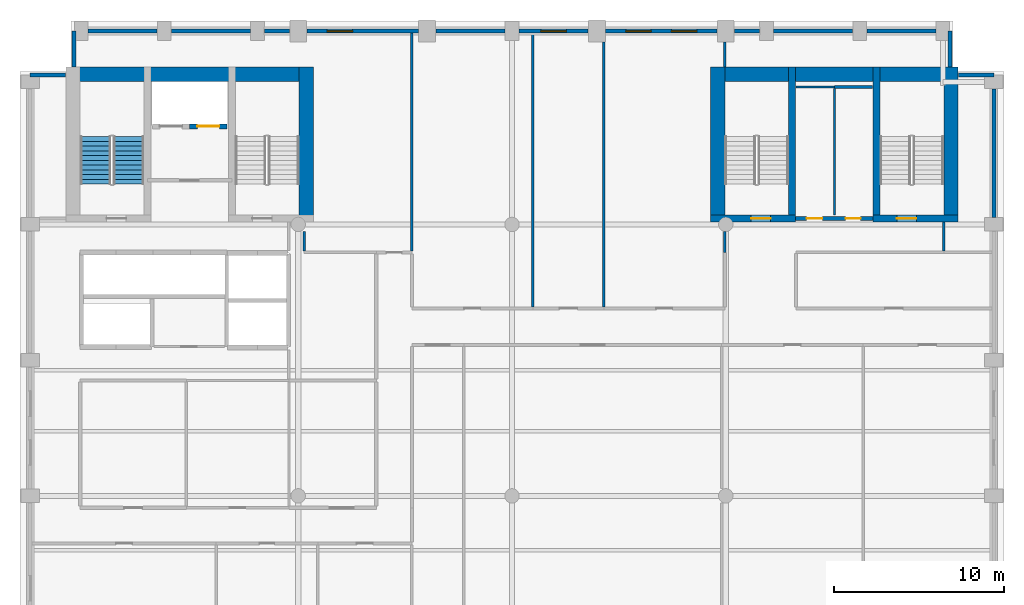
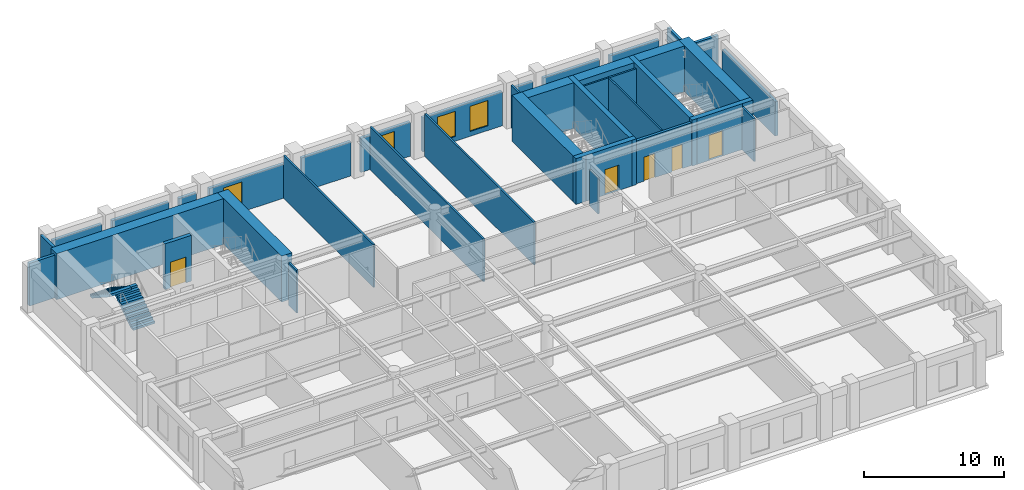
# One storey, part 5 of 8: 36 walls, 5 doors, 4 windows, 2 stair flights, 9 openings, 1 element without a shape of its own.
"""IFC4 building model written with IfcOpenShell, lengths in metres."""

from ifc_helpers import new_model, si_unit, direction, frame, frame_2d, origin, place, context, subcontext, project, spatial, polyline, rectangle, outline, extrude, material, layer, layer_set, type_object, element, fill, aggregate, save


model = new_model("IFC4")

# Units and contexts
model_context = context("Model", 3, precision=1e-05, world=origin(), true_north=direction((0.0, 1.0)))
body_context = subcontext(model_context, "Body", "Model", "MODEL_VIEW")
ifc_project = project(units=[si_unit("LENGTHUNIT", "METRE"), si_unit("AREAUNIT", "SQUARE_METRE"), si_unit("VOLUMEUNIT", "CUBIC_METRE"), si_unit("PLANEANGLEUNIT", "RADIAN"), si_unit("MASSUNIT", "GRAM", prefix="KILO")], contexts=[model_context])

# Site, building, storey
site_placement = place(None, origin())
site = spatial("IfcSite", under=ifc_project, at=site_placement, CompositionType="ELEMENT")
building_placement = place(site_placement, origin())
building = spatial("IfcBuilding", under=site, at=building_placement, Name="Sulina Concourse Tower", CompositionType="ELEMENT")
storey_placement = place(building_placement, frame((0.0, 0.0, 170.60009765625)))
storey = spatial("IfcBuildingStorey", under=building, at=storey_placement, Name="L41", CompositionType="ELEMENT", Elevation=170.60009765625)

# Wall, opening, door
ifc_material_1 = material(Name="Concrete C50/60", Category="concrete")
ifc_layer_1 = layer(ifc_material_1, 0.300048828125)
ifc_layer_set_1 = layer_set([ifc_layer_1], Name="Concrete C50/60")
wall_type_1 = type_object("IfcWallType", Name="Core Lift Hoistway Wall 300mm", PredefinedType="SOLIDWALL", material=ifc_layer_set_1)
wall_1_placement = place(storey_placement, frame((12.199951171875, 39.780029296875, 0.0), z_axis=(0.0, 0.0, 1.0), x_axis=(-1.0, 0.0, 0.0)))
wall_1 = element("IfcWall", 1, at=wall_1_placement, inside=storey, type_object=wall_type_1, Name="L41 hoistway enclosure wall FFL-2", PredefinedType="SOLIDWALL", context=body_context, shape_type="SweptSolid", body=[
    extrude(rectangle(XDim=2.199951171875, YDim=0.300048828125, at=frame_2d((1.10009765625, 0.0))), origin(), (0.0, 0.0, 1.0), 4.0),
])
opening_1_placement = place(wall_1_placement, frame((0.449951171875, 0.0, 0.0)))
opening_1 = element("IfcOpeningElement", 2, at=opening_1_placement, cuts=wall_1, Name="Opening LD-02", PredefinedType="OPENING", context=body_context, shape_type="SweptSolid", body=[
    extrude(rectangle(XDim=1.300048828125, YDim=2.25, at=frame_2d((0.64990234375, 1.125))), frame((0.0, 0.159912109375, 0.0), z_axis=(0.0, -1.0, 0.0), x_axis=(1.0, 0.0, 0.0)), (0.0, 0.0, 1.0), 0.320068359375),
])
ifc_material_2 = material(Name="Stainless steel lift landing door", Category="steel")
ifc_layer_2 = layer(ifc_material_2, 0.050048828125)
ifc_layer_set_2 = layer_set([ifc_layer_2], Name="Stainless steel lift landing door")
door_type_1 = type_object("IfcDoorType", Name="Firefighting Lift Sliding Landing Door 1300x2250", OperationType="SLIDING_TO_RIGHT", PredefinedType="DOOR", material=ifc_layer_set_2)
door_1_placement = place(opening_1_placement, origin())
door_1 = element("IfcDoor", 3, at=door_1_placement, inside=storey, type_object=door_type_1, Name="L41 lift landing sliding door FFL-2", OperationType="SLIDING_TO_RIGHT", OverallHeight=2.25, OverallWidth=1.300048828125, PredefinedType="DOOR", context=body_context, shape_type="SweptSolid", body=[
    extrude(rectangle(XDim=1.300048828125, YDim=2.25, at=frame_2d((0.64990234375, 1.125))), frame((0.0, 0.02490234375, 0.0), z_axis=(0.0, -1.0, 0.0), x_axis=(1.0, 0.0, 0.0)), (0.0, 0.0, 1.0), 0.050048828125),
])
fill(opening_1, door_1)

# Walls
ifc_material_3 = material(Name="Precast concrete C50/60", Category="concrete")
ifc_layer_3 = layer(ifc_material_3, 0.239990234375)
ifc_layer_set_3 = layer_set([ifc_layer_3], Name="Precast concrete C50/60")
wall_type_2 = type_object("IfcWallType", Name="Crown Precast Masonry-Frame Facade Wall 240mm", PredefinedType="SOLIDWALL", material=ifc_layer_set_3)
wall_2_placement = place(storey_placement, frame((4.02001953125, 45.39990234375, 0.0), z_axis=(0.0, 0.0, 1.0), x_axis=(1.0, 0.0, 0.0)))
element("IfcWall", 4, at=wall_2_placement, inside=storey, type_object=wall_type_2, Name="L41 exterior precast wall N1", PredefinedType="SOLIDWALL", context=body_context, shape_type="SweptSolid", body=[
    extrude(rectangle(XDim=4.06005859375, YDim=0.239990234375, at=frame_2d((2.030029296875, 0.0))), origin(), (0.0, 0.0, 1.0), 2.974853515625),
])
wall_3_placement = place(storey_placement, frame((8.919921875, 45.39990234375, 0.0), z_axis=(0.0, 0.0, 1.0), x_axis=(1.0, 0.0, 0.0)))
element("IfcWall", 5, at=wall_3_placement, inside=storey, type_object=wall_type_2, Name="L41 exterior precast wall N2", PredefinedType="SOLIDWALL", context=body_context, shape_type="SweptSolid", body=[
    extrude(rectangle(XDim=4.66015625, YDim=0.239990234375, at=frame_2d((2.330078125, 0.0))), origin(), (0.0, 0.0, 1.0), 2.974853515625),
])
wall_4_placement = place(storey_placement, frame((14.419921875, 45.39990234375, 0.0), z_axis=(0.0, 0.0, 1.0), x_axis=(1.0, 0.0, 0.0)))
element("IfcWall", 6, at=wall_4_placement, inside=storey, type_object=wall_type_2, Name="L41 exterior precast wall N3", PredefinedType="SOLIDWALL", context=body_context, shape_type="SweptSolid", body=[
    extrude(rectangle(XDim=1.4599609375, YDim=0.239990234375, at=frame_2d((0.72998046875, 0.0))), origin(), (0.0, 0.0, 1.0), 2.974853515625),
])

# Wall, opening, window
wall_5_placement = place(storey_placement, frame((16.919921875, 45.39990234375, 0.0), z_axis=(0.0, 0.0, 1.0), x_axis=(1.0, 0.0, 0.0)))
wall_5 = element("IfcWall", 7, at=wall_5_placement, inside=storey, type_object=wall_type_2, Name="L41 exterior precast wall N4", PredefinedType="SOLIDWALL", context=body_context, shape_type="SweptSolid", body=[
    extrude(rectangle(XDim=6.56005859375, YDim=0.239990234375, at=frame_2d((3.280029296875, 0.0))), origin(), (0.0, 0.0, 1.0), 2.974853515625),
])
opening_2_placement = place(wall_5_placement, frame((1.186767578125, 0.0, 0.419921875)))
opening_2 = element("IfcOpeningElement", 8, at=opening_2_placement, cuts=wall_5, Name="Opening WN-71", PredefinedType="OPENING", context=body_context, shape_type="SweptSolid", body=[
    extrude(rectangle(XDim=1.5, YDim=2.199951171875, at=frame_2d((0.75, 1.10009765625))), frame((0.0, 0.1298828125, 0.0), z_axis=(0.0, -1.0, 0.0), x_axis=(1.0, 0.0, 0.0)), (0.0, 0.0, 1.0), 0.260009765625),
])
ifc_material_4 = material(Name="Low-E solar double glazing in bronze aluminium", Category="aluminium")
window_type = type_object("IfcWindowType", Name="Punched Masonry-Frame Window 1500x2200", PartitioningType="SINGLE_PANEL", PredefinedType="WINDOW", material=ifc_material_4)
window_1_placement = place(opening_2_placement, origin())
window_1 = element("IfcWindow", 9, at=window_1_placement, inside=storey, type_object=window_type, Name="L41 punched window N4-1", OverallHeight=2.199951171875, OverallWidth=1.5, PartitioningType="SINGLE_PANEL", PredefinedType="WINDOW", context=body_context, shape_type="SweptSolid", body=[
    extrude(rectangle(XDim=1.5, YDim=2.199951171875, at=frame_2d((0.75, 1.10009765625))), frame((0.0, 0.030029296875, 0.0), z_axis=(0.0, -1.0, 0.0), x_axis=(1.0, 0.0, 0.0)), (0.0, 0.0, 1.0), 0.06005859375),
])
fill(opening_2, window_1)

# Wall
wall_6_placement = place(storey_placement, frame((24.52001953125, 45.39990234375, 0.0), z_axis=(0.0, 0.0, 1.0), x_axis=(1.0, 0.0, 0.0)))
element("IfcWall", 10, at=wall_6_placement, inside=storey, type_object=wall_type_2, Name="L41 exterior precast wall N5", PredefinedType="SOLIDWALL", context=body_context, shape_type="SweptSolid", body=[
    extrude(rectangle(XDim=4.06005859375, YDim=0.239990234375, at=frame_2d((2.030029296875, 0.0))), origin(), (0.0, 0.0, 1.0), 2.974853515625),
])

# Wall, opening, window
wall_7_placement = place(storey_placement, frame((29.419921875, 45.39990234375, 0.0), z_axis=(0.0, 0.0, 1.0), x_axis=(1.0, 0.0, 0.0)))
wall_7 = element("IfcWall", 11, at=wall_7_placement, inside=storey, type_object=wall_type_2, Name="L41 exterior precast wall N6", PredefinedType="SOLIDWALL", context=body_context, shape_type="SweptSolid", body=[
    extrude(rectangle(XDim=4.06005859375, YDim=0.239990234375, at=frame_2d((2.030029296875, 0.0))), origin(), (0.0, 0.0, 1.0), 2.974853515625),
])
opening_3_placement = place(wall_7_placement, frame((1.280029296875, 0.0, 0.419921875)))
opening_3 = element("IfcOpeningElement", 12, at=opening_3_placement, cuts=wall_7, Name="Opening WN-71", PredefinedType="OPENING", context=body_context, shape_type="SweptSolid", body=[
    extrude(rectangle(XDim=1.5, YDim=2.199951171875, at=frame_2d((0.75, 1.10009765625))), frame((0.0, 0.1298828125, 0.0), z_axis=(0.0, -1.0, 0.0), x_axis=(1.0, 0.0, 0.0)), (0.0, 0.0, 1.0), 0.260009765625),
])
window_2_placement = place(opening_3_placement, origin())
window_2 = element("IfcWindow", 13, at=window_2_placement, inside=storey, type_object=window_type, Name="L41 punched window N6-1", OverallHeight=2.199951171875, OverallWidth=1.5, PartitioningType="SINGLE_PANEL", PredefinedType="WINDOW", context=body_context, shape_type="SweptSolid", body=[
    extrude(rectangle(XDim=1.5, YDim=2.199951171875, at=frame_2d((0.75, 1.10009765625))), frame((0.0, 0.030029296875, 0.0), z_axis=(0.0, -1.0, 0.0), x_axis=(1.0, 0.0, 0.0)), (0.0, 0.0, 1.0), 0.06005859375),
])
fill(opening_3, window_2)

# Wall, openings, windows
wall_8_placement = place(storey_placement, frame((34.52001953125, 45.39990234375, 0.0), z_axis=(0.0, 0.0, 1.0), x_axis=(1.0, 0.0, 0.0)))
wall_8 = element("IfcWall", 14, at=wall_8_placement, inside=storey, type_object=wall_type_2, Name="L41 exterior precast wall N7", PredefinedType="SOLIDWALL", context=body_context, shape_type="SweptSolid", body=[
    extrude(rectangle(XDim=6.56005859375, YDim=0.239990234375, at=frame_2d((3.280029296875, 0.0))), origin(), (0.0, 0.0, 1.0), 2.974853515625),
])
opening_4_placement = place(wall_8_placement, frame((1.186767578125, 0.0, 0.419921875)))
opening_4 = element("IfcOpeningElement", 15, at=opening_4_placement, cuts=wall_8, Name="Opening WN-71", PredefinedType="OPENING", context=body_context, shape_type="SweptSolid", body=[
    extrude(rectangle(XDim=1.5, YDim=2.199951171875, at=frame_2d((0.75, 1.10009765625))), frame((0.0, 0.1298828125, 0.0), z_axis=(0.0, -1.0, 0.0), x_axis=(1.0, 0.0, 0.0)), (0.0, 0.0, 1.0), 0.260009765625),
])
opening_5_placement = place(wall_8_placement, frame((3.873291015625, 0.0, 0.419921875)))
opening_5 = element("IfcOpeningElement", 16, at=opening_5_placement, cuts=wall_8, Name="Opening WN-71", PredefinedType="OPENING", context=body_context, shape_type="SweptSolid", body=[
    extrude(rectangle(XDim=1.5, YDim=2.199951171875, at=frame_2d((0.75, 1.10009765625))), frame((0.0, 0.1298828125, 0.0), z_axis=(0.0, -1.0, 0.0), x_axis=(1.0, 0.0, 0.0)), (0.0, 0.0, 1.0), 0.260009765625),
])
window_3_placement = place(opening_4_placement, origin())
window_3 = element("IfcWindow", 17, at=window_3_placement, inside=storey, type_object=window_type, Name="L41 punched window N7-1", OverallHeight=2.199951171875, OverallWidth=1.5, PartitioningType="SINGLE_PANEL", PredefinedType="WINDOW", context=body_context, shape_type="SweptSolid", body=[
    extrude(rectangle(XDim=1.5, YDim=2.199951171875, at=frame_2d((0.75, 1.10009765625))), frame((0.0, 0.030029296875, 0.0), z_axis=(0.0, -1.0, 0.0), x_axis=(1.0, 0.0, 0.0)), (0.0, 0.0, 1.0), 0.06005859375),
])
fill(opening_4, window_3)
window_4_placement = place(opening_5_placement, origin())
window_4 = element("IfcWindow", 18, at=window_4_placement, inside=storey, type_object=window_type, Name="L41 punched window N7-2", OverallHeight=2.199951171875, OverallWidth=1.5, PartitioningType="SINGLE_PANEL", PredefinedType="WINDOW", context=body_context, shape_type="SweptSolid", body=[
    extrude(rectangle(XDim=1.5, YDim=2.199951171875, at=frame_2d((0.75, 1.10009765625))), frame((0.0, 0.030029296875, 0.0), z_axis=(0.0, -1.0, 0.0), x_axis=(1.0, 0.0, 0.0)), (0.0, 0.0, 1.0), 0.06005859375),
])
fill(opening_5, window_4)

# Walls
wall_9_placement = place(storey_placement, frame((42.1201171875, 45.39990234375, 0.0), z_axis=(0.0, 0.0, 1.0), x_axis=(1.0, 0.0, 0.0)))
element("IfcWall", 19, at=wall_9_placement, inside=storey, type_object=wall_type_2, Name="L41 exterior precast wall N8", PredefinedType="SOLIDWALL", context=body_context, shape_type="SweptSolid", body=[
    extrude(rectangle(XDim=1.4599609375, YDim=0.239990234375, at=frame_2d((0.72998046875, 0.0))), origin(), (0.0, 0.0, 1.0), 2.974853515625),
])
wall_10_placement = place(storey_placement, frame((44.419921875, 45.39990234375, 0.0), z_axis=(0.0, 0.0, 1.0), x_axis=(1.0, 0.0, 0.0)))
element("IfcWall", 20, at=wall_10_placement, inside=storey, type_object=wall_type_2, Name="L41 exterior precast wall N9", PredefinedType="SOLIDWALL", context=body_context, shape_type="SweptSolid", body=[
    extrude(rectangle(XDim=4.66015625, YDim=0.239990234375, at=frame_2d((2.330078125, 0.0))), origin(), (0.0, 0.0, 1.0), 2.974853515625),
])
wall_11_placement = place(storey_placement, frame((49.919921875, 45.39990234375, 0.0), z_axis=(0.0, 0.0, 1.0), x_axis=(1.0, 0.0, 0.0)))
element("IfcWall", 21, at=wall_11_placement, inside=storey, type_object=wall_type_2, Name="L41 exterior precast wall N10", PredefinedType="SOLIDWALL", context=body_context, shape_type="SweptSolid", body=[
    extrude(rectangle(XDim=4.06005859375, YDim=0.239990234375, at=frame_2d((2.030029296875, 0.0))), origin(), (0.0, 0.0, 1.0), 2.974853515625),
])
wall_12_placement = place(storey_placement, frame((57.39990234375, 41.97998046875, 0.0), z_axis=(0.0, 0.0, 1.0), x_axis=(0.0, -1.0, 0.0)))
element("IfcWall", 22, at=wall_12_placement, inside=storey, type_object=wall_type_2, Name="L41 exterior precast wall E5", PredefinedType="SOLIDWALL", context=body_context, shape_type="SweptSolid", body=[
    extrude(rectangle(XDim=7.56005859375, YDim=0.239990234375, at=frame_2d((3.780029296875, 0.0))), origin(), (0.0, 0.0, 1.0), 2.974853515625),
])
wall_13_placement = place(storey_placement, frame((0.60009765625, 42.820068359375, 0.0), z_axis=(0.0, 0.0, 1.0), x_axis=(1.0, 0.0, 0.0)))
element("IfcWall", 23, at=wall_13_placement, inside=storey, type_object=wall_type_2, Name="L41 exterior precast wall CNW1", PredefinedType="SOLIDWALL", context=body_context, shape_type="SweptSolid", body=[
    extrude(rectangle(XDim=2.094970703125, YDim=0.239990234375, at=frame_2d((1.04736328125, 0.0))), origin(), (0.0, 0.0, 1.0), 3.724853515625),
])
for number, where, z_axis, x_axis, name in (
    (24, (3.179931640625, 43.284912109375, 0.0), (0.0, 0.0, 1.0), (0.0, 1.0, 0.0), "L41 exterior precast wall CNW2"),
    (25, (54.820068359375, 45.39990234375, 0.0), (0.0, 0.0, 1.0), (0.0, -1.0, 0.0), "L41 exterior precast wall CNE1"),
):
    element("IfcWall", number, at=place(storey_placement, frame(where, z_axis=z_axis, x_axis=x_axis)), inside=storey, type_object=wall_type_2, Name=name, PredefinedType="SOLIDWALL", context=body_context, shape_type="SweptSolid", body=[
        extrude(rectangle(XDim=2.114990234375, YDim=0.239990234375, at=frame_2d((1.0576171875, 0.0))), origin(), (0.0, 0.0, 1.0), 3.724853515625),
    ])
wall_14_placement = place(storey_placement, frame((55.304931640625, 42.820068359375, 0.0), z_axis=(0.0, 0.0, 1.0), x_axis=(1.0, 0.0, 0.0)))
element("IfcWall", 26, at=wall_14_placement, inside=storey, type_object=wall_type_2, Name="L41 exterior precast wall CNE2", PredefinedType="SOLIDWALL", context=body_context, shape_type="SweptSolid", body=[
    extrude(rectangle(XDim=2.094970703125, YDim=0.239990234375, at=frame_2d((1.04736328125, 0.0))), origin(), (0.0, 0.0, 1.0), 3.724853515625),
])

# Wall, openings, doors
ifc_material_5 = material(Name="Gypsum board on steel stud", Category="steel")
ifc_layer_4 = layer(ifc_material_5, 0.219970703125)
ifc_layer_set_4 = layer_set([ifc_layer_4], Name="Gypsum board on steel stud")
wall_type_3 = type_object("IfcWallType", Name="Fire-Rated Lobby & Compartment Wall 220mm", PredefinedType="PARTITIONING", material=ifc_layer_set_4)
wall_15_placement = place(storey_placement, frame((45.719970703125, 34.35009765625, 0.0), z_axis=(0.0, 0.0, 1.0), x_axis=(1.0, 0.0, 0.0)))
wall_15 = element("IfcWall", 27, at=wall_15_placement, inside=storey, type_object=wall_type_3, Name="L41 east core south lobby wall", PredefinedType="PARTITIONING", context=body_context, shape_type="SweptSolid", body=[
    extrude(rectangle(XDim=4.56005859375, YDim=0.219970703125, at=frame_2d((2.280029296875, 0.0))), origin(), (0.0, 0.0, 1.0), 3.724853515625),
])
opening_6_placement = place(wall_15_placement, frame((0.64990234375, 0.0, 0.0)))
opening_6 = element("IfcOpeningElement", 28, at=opening_6_placement, cuts=wall_15, Name="Opening DR-61", PredefinedType="OPENING", context=body_context, shape_type="SweptSolid", body=[
    extrude(rectangle(XDim=0.919921875, YDim=2.10009765625, at=frame_2d((0.4599609375, 1.050048828125))), frame((0.0, 0.119873046875, 0.0), z_axis=(0.0, -1.0, 0.0), x_axis=(1.0, 0.0, 0.0)), (0.0, 0.0, 1.0), 0.239990234375),
])
opening_7_placement = place(wall_15_placement, frame((2.949951171875, 0.0, 0.0)))
opening_7 = element("IfcOpeningElement", 29, at=opening_7_placement, cuts=wall_15, Name="Opening DR-38", PredefinedType="OPENING", context=body_context, shape_type="SweptSolid", body=[
    extrude(rectangle(XDim=0.8798828125, YDim=2.10009765625, at=frame_2d((0.43994140625, 1.050048828125))), frame((0.0, 0.119873046875, 0.0), z_axis=(0.0, -1.0, 0.0), x_axis=(1.0, 0.0, 0.0)), (0.0, 0.0, 1.0), 0.239990234375),
])
ifc_material_6 = material(Name="Oak-veneered fire door leaf")
ifc_layer_5 = layer(ifc_material_6, 0.050048828125)
ifc_layer_set_5 = layer_set([ifc_layer_5], Name="Oak-veneered fire door leaf")
door_type_2 = type_object("IfcDoorType", Name="Accessible WC Door 920x2100", OperationType="NOTDEFINED", PredefinedType="DOOR", material=ifc_layer_set_5)
door_2_placement = place(opening_6_placement, origin())
door_2 = element("IfcDoor", 30, at=door_2_placement, inside=storey, type_object=door_type_2, Name="L41 east core accessible wc door", OperationType="SINGLE_SWING_RIGHT", OverallHeight=2.10009765625, OverallWidth=0.919921875, PredefinedType="DOOR", context=body_context, shape_type="SweptSolid", body=[
    extrude(rectangle(XDim=0.919921875, YDim=2.10009765625, at=frame_2d((0.4599609375, 1.050048828125))), frame((0.0, 0.02490234375, 0.0), z_axis=(0.0, -1.0, 0.0), x_axis=(1.0, 0.0, 0.0)), (0.0, 0.0, 1.0), 0.050048828125),
])
fill(opening_6, door_2)
ifc_material_7 = material(Name="Galvanised steel acoustic fire leaf", Category="steel")
ifc_layer_6 = layer(ifc_material_7, 0.050048828125)
ifc_layer_set_6 = layer_set([ifc_layer_6], Name="Galvanised steel acoustic fire leaf")
door_type_3 = type_object("IfcDoorType", Name="Service Riser Fire Door 880x2100", OperationType="NOTDEFINED", PredefinedType="DOOR", material=ifc_layer_set_6)
door_3_placement = place(opening_7_placement, origin())
door_3 = element("IfcDoor", 31, at=door_3_placement, inside=storey, type_object=door_type_3, Name="L41 east core store door", OperationType="SINGLE_SWING_LEFT", OverallHeight=2.10009765625, OverallWidth=0.8798828125, PredefinedType="DOOR", context=body_context, shape_type="SweptSolid", body=[
    extrude(rectangle(XDim=0.8798828125, YDim=2.10009765625, at=frame_2d((0.43994140625, 1.050048828125))), frame((0.0, 0.02490234375, 0.0), z_axis=(0.0, -1.0, 0.0), x_axis=(1.0, 0.0, 0.0)), (0.0, 0.0, 1.0), 0.050048828125),
])
fill(opening_7, door_3)

# Walls
ifc_material_8 = material(Name="Gypsum board on steel stud", Category="steel")
ifc_layer_7 = layer(ifc_material_8, 0.14990234375)
ifc_layer_set_7 = layer_set([ifc_layer_7], Name="Gypsum board on steel stud")
wall_type_4 = type_object("IfcWallType", Name="Inter-Tenancy Acoustic Partition 150mm", PredefinedType="PARTITIONING", material=ifc_layer_set_7)
wall_16_placement = place(storey_placement, frame((48.0, 42.10009765625, 0.0), z_axis=(0.0, 0.0, 1.0), x_axis=(1.0, 0.0, 0.0)))
element("IfcWall", 32, at=wall_16_placement, inside=storey, type_object=wall_type_4, Name="L41 interior partition 025", PredefinedType="PARTITIONING", context=body_context, shape_type="SweptSolid", body=[
    extrude(rectangle(XDim=2.25, YDim=0.14990234375, at=frame_2d((1.125, 0.0))), origin(), (0.0, 0.0, 1.0), 3.724853515625),
])
wall_17_placement = place(storey_placement, frame((16.75, 32.425048828125, 0.0), z_axis=(0.0, 0.0, 1.0), x_axis=(0.0, 1.0, 0.0)))
element("IfcWall", 33, at=wall_17_placement, inside=storey, type_object=wall_type_4, Name="L41 interior partition 032", PredefinedType="PARTITIONING", context=body_context, shape_type="SweptSolid", body=[
    extrude(rectangle(XDim=1.14990234375, YDim=0.14990234375, at=frame_2d((0.574951171875, 0.0))), origin(), (0.0, 0.0, 1.0), 3.724853515625),
])
wall_18_placement = place(storey_placement, frame((23.10009765625, 32.43994140625, 0.0), z_axis=(0.0, 0.0, 1.0), x_axis=(0.0, 1.0, 0.0)))
element("IfcWall", 34, at=wall_18_placement, inside=storey, type_object=wall_type_4, Name="L41 interior partition 040", PredefinedType="PARTITIONING", context=body_context, shape_type="SweptSolid", body=[
    extrude(rectangle(XDim=12.840087890625, YDim=0.14990234375, at=frame_2d((6.419921875, 0.0))), origin(), (0.0, 0.0, 1.0), 3.724853515625),
])
wall_19_placement = place(storey_placement, frame((30.22998046875, 29.139892578125, 0.0), z_axis=(0.0, 0.0, 1.0), x_axis=(0.0, 1.0, 0.0)))
element("IfcWall", 35, at=wall_19_placement, inside=storey, type_object=wall_type_4, Name="L41 interior partition 042", PredefinedType="PARTITIONING", context=body_context, shape_type="SweptSolid", body=[
    extrude(rectangle(XDim=16.14013671875, YDim=0.14990234375, at=frame_2d((8.070068359375, 0.0))), origin(), (0.0, 0.0, 1.0), 3.724853515625),
])
wall_20_placement = place(storey_placement, frame((34.419921875, 29.139892578125, 0.0), z_axis=(0.0, 0.0, 1.0), x_axis=(0.0, 1.0, 0.0)))
element("IfcWall", 36, at=wall_20_placement, inside=storey, type_object=wall_type_4, Name="L41 interior partition 043", PredefinedType="PARTITIONING", context=body_context, shape_type="SweptSolid", body=[
    extrude(rectangle(XDim=15.610107421875, YDim=0.14990234375, at=frame_2d((7.80517578125, 0.0))), origin(), (0.0, 0.0, 1.0), 3.724853515625),
])
wall_21_placement = place(storey_placement, frame((41.550048828125, 32.35009765625, 0.0), z_axis=(0.0, 0.0, 1.0), x_axis=(0.0, 1.0, 0.0)))
element("IfcWall", 37, at=wall_21_placement, inside=storey, type_object=wall_type_4, Name="L41 interior partition 047", PredefinedType="PARTITIONING", context=body_context, shape_type="SweptSolid", body=[
    extrude(rectangle(XDim=1.224853515625, YDim=0.14990234375, at=frame_2d((0.6123046875, 0.0))), origin(), (0.0, 0.0, 1.0), 3.119873046875),
])
wall_22_placement = place(storey_placement, frame((41.550048828125, 43.280029296875, 0.0), z_axis=(0.0, 0.0, 1.0), x_axis=(0.0, 1.0, 0.0)))
element("IfcWall", 38, at=wall_22_placement, inside=storey, type_object=wall_type_4, Name="L41 interior partition 048", PredefinedType="PARTITIONING", context=body_context, shape_type="SweptSolid", body=[
    extrude(rectangle(XDim=1.469970703125, YDim=0.14990234375, at=frame_2d((0.73486328125, 0.0))), origin(), (0.0, 0.0, 1.0), 3.724853515625),
])
wall_23_placement = place(storey_placement, frame((54.449951171875, 32.425048828125, 0.0), z_axis=(0.0, 0.0, 1.0), x_axis=(0.0, 1.0, 0.0)))
element("IfcWall", 39, at=wall_23_placement, inside=storey, type_object=wall_type_4, Name="L41 interior partition 052", PredefinedType="PARTITIONING", context=body_context, shape_type="SweptSolid", body=[
    extrude(rectangle(XDim=1.724853515625, YDim=0.14990234375, at=frame_2d((0.8623046875, 0.0))), origin(), (0.0, 0.0, 1.0), 3.724853515625),
])

# Wall, opening, door
ifc_material_9 = material(Name="Concrete C60/75", Category="concrete")
ifc_layer_8 = layer(ifc_material_9, 0.39990234375)
ifc_layer_set_8 = layer_set([ifc_layer_8], Name="Concrete C60/75")
wall_type_5 = type_object("IfcWallType", Name="Protected Stair Core Shear Wall 400mm", PredefinedType="SHEAR", material=ifc_layer_set_8)
wall_24_placement = place(storey_placement, frame((40.699951171875, 34.35009765625, 0.0), z_axis=(0.0, 0.0, 1.0), x_axis=(1.0, 0.0, 0.0)))
wall_24 = element("IfcWall", 40, at=wall_24_placement, inside=storey, type_object=wall_type_5, Name="L41 east core shear wall CW-ES1", PredefinedType="SHEAR", context=body_context, shape_type="SweptSolid", body=[
    extrude(rectangle(XDim=5.010009765625, YDim=0.39990234375, at=frame_2d((2.5048828125, 0.0))), origin(), (0.0, 0.0, 1.0), 4.0),
])
opening_8_placement = place(wall_24_placement, frame((2.39990234375, 0.0, 0.0)))
opening_8 = element("IfcOpeningElement", 41, at=opening_8_placement, cuts=wall_24, Name="Opening DR-60", PredefinedType="OPENING", context=body_context, shape_type="SweptSolid", body=[
    extrude(rectangle(XDim=1.14990234375, YDim=2.199951171875, at=frame_2d((0.574951171875, 1.10009765625))), frame((0.0, 0.2099609375, 0.0), z_axis=(0.0, -1.0, 0.0), x_axis=(1.0, 0.0, 0.0)), (0.0, 0.0, 1.0), 0.419921875),
])
ifc_material_10 = material(Name="Galvanised steel acoustic fire leaf", Category="steel")
ifc_layer_9 = layer(ifc_material_10, 0.054931640625)
ifc_layer_set_9 = layer_set([ifc_layer_9], Name="Galvanised steel acoustic fire leaf")
door_type_4 = type_object("IfcDoorType", Name="Protected Exit Stair Fire Door 1150x2200", OperationType="NOTDEFINED", PredefinedType="DOOR", material=ifc_layer_set_9)
door_4_placement = place(opening_8_placement, origin())
door_4 = element("IfcDoor", 42, at=door_4_placement, inside=storey, type_object=door_type_4, Name="L41 stair ST-3 south lobby fire door", OperationType="SINGLE_SWING_LEFT", OverallHeight=2.199951171875, OverallWidth=1.14990234375, PredefinedType="DOOR", context=body_context, shape_type="SweptSolid", body=[
    extrude(rectangle(XDim=1.14990234375, YDim=2.199951171875, at=frame_2d((0.574951171875, 1.10009765625))), frame((0.0, 0.02490234375, 0.0), z_axis=(0.0, -1.0, 0.0), x_axis=(1.0, 0.0, 0.0)), (0.0, 0.0, 1.0), 0.050048828125),
])
fill(opening_8, door_4)

# Wall
wall_25_placement = place(storey_placement, frame((45.510009765625, 34.14990234375, 0.0), z_axis=(0.0, 0.0, 1.0), x_axis=(0.0, 1.0, 0.0)))
element("IfcWall", 43, at=wall_25_placement, inside=storey, type_object=wall_type_5, Name="L41 east core shear wall SW-ST3", PredefinedType="SHEAR", context=body_context, shape_type="SweptSolid", body=[
    extrude(rectangle(XDim=9.130126953125, YDim=0.39990234375, at=frame_2d((4.56494140625, 0.0))), origin(), (0.0, 0.0, 1.0), 4.0),
])

# Wall, opening, door
wall_26_placement = place(storey_placement, frame((50.2900390625, 34.35009765625, 0.0), z_axis=(0.0, 0.0, 1.0), x_axis=(1.0, 0.0, 0.0)))
wall_26 = element("IfcWall", 44, at=wall_26_placement, inside=storey, type_object=wall_type_5, Name="L41 east core shear wall CW-ES2", PredefinedType="SHEAR", context=body_context, shape_type="SweptSolid", body=[
    extrude(rectangle(XDim=5.010009765625, YDim=0.39990234375, at=frame_2d((2.5048828125, 0.0))), origin(), (0.0, 0.0, 1.0), 4.0),
])
opening_9_placement = place(wall_26_placement, frame((1.39990234375, 0.0, 0.0)))
opening_9 = element("IfcOpeningElement", 45, at=opening_9_placement, cuts=wall_26, Name="Opening DR-60", PredefinedType="OPENING", context=body_context, shape_type="SweptSolid", body=[
    extrude(rectangle(XDim=1.14990234375, YDim=2.199951171875, at=frame_2d((0.574951171875, 1.10009765625))), frame((0.0, 0.2099609375, 0.0), z_axis=(0.0, -1.0, 0.0), x_axis=(1.0, 0.0, 0.0)), (0.0, 0.0, 1.0), 0.419921875),
])
door_5_placement = place(opening_9_placement, origin())
door_5 = element("IfcDoor", 46, at=door_5_placement, inside=storey, type_object=door_type_4, Name="L41 stair ST-4 south lobby fire door", OperationType="SINGLE_SWING_RIGHT", OverallHeight=2.199951171875, OverallWidth=1.14990234375, PredefinedType="DOOR", context=body_context, shape_type="SweptSolid", body=[
    extrude(rectangle(XDim=1.14990234375, YDim=2.199951171875, at=frame_2d((0.574951171875, 1.10009765625))), frame((0.0, 0.02490234375, 0.0), z_axis=(0.0, -1.0, 0.0), x_axis=(1.0, 0.0, 0.0)), (0.0, 0.0, 1.0), 0.050048828125),
])
fill(opening_9, door_5)

# Walls
wall_27_placement = place(storey_placement, frame((50.489990234375, 34.14990234375, 0.0), z_axis=(0.0, 0.0, 1.0), x_axis=(0.0, 1.0, 0.0)))
element("IfcWall", 47, at=wall_27_placement, inside=storey, type_object=wall_type_5, Name="L41 east core shear wall SW-ST4", PredefinedType="SHEAR", context=body_context, shape_type="SweptSolid", body=[
    extrude(rectangle(XDim=9.130126953125, YDim=0.39990234375, at=frame_2d((4.56494140625, 0.0))), origin(), (0.0, 0.0, 1.0), 4.0),
])
ifc_material_11 = material(Name="Concrete C60/75", Category="concrete")
ifc_layer_10 = layer(ifc_material_11, 0.85009765625)
ifc_layer_set_10 = layer_set([ifc_layer_10], Name="Concrete C60/75")
wall_type_6 = type_object("IfcWallType", Name="Rear Core Shear Wall 850mm", PredefinedType="SHEAR", material=ifc_layer_set_10)
wall_28_placement = place(storey_placement, frame((2.699951171875, 42.85498046875, 0.0), z_axis=(0.0, 0.0, 1.0), x_axis=(1.0, 0.0, 0.0)))
element("IfcWall", 48, at=wall_28_placement, inside=storey, type_object=wall_type_6, Name="L41 west core shear wall CW-WN", PredefinedType="SHEAR", context=body_context, shape_type="SweptSolid", body=[
    extrude(rectangle(XDim=14.60009765625, YDim=0.85009765625, at=frame_2d((7.300048828125, 0.0))), origin(), (0.0, 0.0, 1.0), 4.0),
])
wall_29_placement = place(storey_placement, frame((16.875, 34.14990234375, 0.0), z_axis=(0.0, 0.0, 1.0), x_axis=(0.0, 1.0, 0.0)))
element("IfcWall", 49, at=wall_29_placement, inside=storey, type_object=wall_type_6, Name="L41 west core shear wall CW-WE", PredefinedType="SHEAR", context=body_context, shape_type="SweptSolid", body=[
    extrude(rectangle(XDim=9.130126953125, YDim=0.85009765625, at=frame_2d((4.56494140625, 0.0))), origin(), (0.0, 0.0, 1.0), 4.0),
])
wall_30_placement = place(storey_placement, frame((40.699951171875, 42.85498046875, 0.0), z_axis=(0.0, 0.0, 1.0), x_axis=(1.0, 0.0, 0.0)))
element("IfcWall", 50, at=wall_30_placement, inside=storey, type_object=wall_type_6, Name="L41 east core shear wall CW-EN", PredefinedType="SHEAR", context=body_context, shape_type="SweptSolid", body=[
    extrude(rectangle(XDim=14.60009765625, YDim=0.85009765625, at=frame_2d((7.300048828125, 0.0))), origin(), (0.0, 0.0, 1.0), 4.0),
])
for number, where, z_axis, x_axis, name in (
    (51, (41.125, 34.14990234375, 0.0), (0.0, 0.0, 1.0), (0.0, 1.0, 0.0), "L41 east core shear wall CW-EW"),
    (52, (54.875, 34.14990234375, 0.0), (0.0, 0.0, 1.0), (0.0, 1.0, 0.0), "L41 east core shear wall CW-EE"),
):
    element("IfcWall", number, at=place(storey_placement, frame(where, z_axis=z_axis, x_axis=x_axis)), inside=storey, type_object=wall_type_6, Name=name, PredefinedType="SHEAR", context=body_context, shape_type="SweptSolid", body=[
        extrude(rectangle(XDim=9.130126953125, YDim=0.85009765625, at=frame_2d((4.56494140625, 0.0))), origin(), (0.0, 0.0, 1.0), 4.0),
    ])
ifc_material_12 = material(Name="Gypsum board on steel stud", Category="steel")
ifc_layer_11 = layer(ifc_material_12, 0.125)
ifc_layer_set_11 = layer_set([ifc_layer_11], Name="Gypsum board on steel stud")
wall_type_7 = type_object("IfcWallType", Name="Wet-Area Moisture-Resistant Partition 125mm", PredefinedType="PARTITIONING", material=ifc_layer_set_11)
wall_31_placement = place(storey_placement, frame((45.75, 42.10009765625, 0.0), z_axis=(0.0, 0.0, 1.0), x_axis=(1.0, 0.0, 0.0)))
element("IfcWall", 53, at=wall_31_placement, inside=storey, type_object=wall_type_7, Name="L41 interior partition 024", PredefinedType="PARTITIONING", context=body_context, shape_type="SweptSolid", body=[
    extrude(rectangle(XDim=2.25, YDim=0.125, at=frame_2d((1.125, 0.0))), origin(), (0.0, 0.0, 1.0), 3.724853515625),
])
wall_32_placement = place(storey_placement, frame((48.0, 34.550048828125, 0.0), z_axis=(0.0, 0.0, 1.0), x_axis=(0.0, 1.0, 0.0)))
element("IfcWall", 54, at=wall_32_placement, inside=storey, type_object=wall_type_7, Name="L41 interior partition 050", PredefinedType="PARTITIONING", context=body_context, shape_type="SweptSolid", body=[
    extrude(rectangle(XDim=7.474853515625, YDim=0.125, at=frame_2d((3.7373046875, 0.0))), origin(), (0.0, 0.0, 1.0), 3.724853515625),
])

# Stair, stair flights
ifc_material_13 = material(Name="Concrete C50/60", Category="concrete")
stair_type = type_object("IfcStairType", Name="Primary Core Dog-Leg Exit Stair 1800mm", PredefinedType="HALF_TURN_STAIR", material=ifc_material_13)
stair_placement = place(storey_placement, origin())
stair = element("IfcStair", 55, at=stair_placement, inside=storey, type_object=stair_type, Name="L41 ST-1", PredefinedType="HALF_TURN_STAIR")
ifc_material_14 = material(Name="Concrete C50/60", Category="concrete")
stair_flight_type = type_object("IfcStairFlightType", Name="Primary Core Dog-Leg Exit Stair 1800mm Flight", PredefinedType="STRAIGHT", material=ifc_material_14)
stair_flight_1_placement = place(storey_placement, frame((6.405029296875, 36.375, 0.0), z_axis=(0.0, 0.0, 1.0), x_axis=(0.0, 1.0, 0.0)))
stair_flight_1 = element("IfcStairFlight", 56, at=stair_flight_1_placement, type_object=stair_flight_type, Name="ST-1 flight 1", NumberOfRisers=11, NumberOfTreads=10, PredefinedType="STRAIGHT", RiserHeight=0.181818182, TreadLength=0.28, context=body_context, shape_type="SweptSolid", body=[
    extrude(outline(polyline([(0.0, 0.0), (0.0, 0.181884765625), (0.280029296875, 0.181884765625), (0.280029296875, 0.363525390625), (0.56005859375, 0.363525390625), (0.56005859375, 0.54541015625), (0.840087890625, 0.54541015625), (0.840087890625, 0.727294921875), (1.1201171875, 0.727294921875), (1.1201171875, 0.9091796875), (1.39990234375, 0.9091796875), (1.39990234375, 1.0908203125), (1.679931640625, 1.0908203125), (1.679931640625, 1.272705078125), (1.9599609375, 1.272705078125), (1.9599609375, 1.45458984375), (2.239990234375, 1.45458984375), (2.239990234375, 1.636474609375), (2.52001953125, 1.636474609375), (2.52001953125, 1.818115234375), (2.800048828125, 1.818115234375), (2.800048828125, 2.0), (2.800048828125, 1.603759765625), (0.330322265625, 0.0), (0.0, 0.0)])), frame((0.0, 0.89990234375, 0.0), z_axis=(0.0, -1.0, 0.0), x_axis=(1.0, 0.0, 0.0)), (0.0, 0.0, 1.0), 1.800048828125),
])
stair_flight_2_placement = place(storey_placement, frame((4.455078125, 39.175048828125, 2.0), z_axis=(0.0, 0.0, 1.0), x_axis=(0.0, -1.0, 0.0)))
stair_flight_2 = element("IfcStairFlight", 57, at=stair_flight_2_placement, type_object=stair_flight_type, Name="ST-1 flight 2", NumberOfRisers=11, NumberOfTreads=10, PredefinedType="STRAIGHT", RiserHeight=0.181818182, TreadLength=0.28, context=body_context, shape_type="SweptSolid", body=[
    extrude(outline(polyline([(0.0, 0.0), (0.0, 0.181884765625), (0.280029296875, 0.181884765625), (0.280029296875, 0.363525390625), (0.56005859375, 0.363525390625), (0.56005859375, 0.54541015625), (0.840087890625, 0.54541015625), (0.840087890625, 0.727294921875), (1.1201171875, 0.727294921875), (1.1201171875, 0.9091796875), (1.39990234375, 0.9091796875), (1.39990234375, 1.0908203125), (1.679931640625, 1.0908203125), (1.679931640625, 1.272705078125), (1.9599609375, 1.272705078125), (1.9599609375, 1.45458984375), (2.239990234375, 1.45458984375), (2.239990234375, 1.636474609375), (2.52001953125, 1.636474609375), (2.52001953125, 1.818115234375), (2.800048828125, 1.818115234375), (2.800048828125, 2.0), (2.800048828125, 1.603759765625), (0.330322265625, 0.0), (0.0, 0.0)])), frame((0.0, 0.89990234375, 0.0), z_axis=(0.0, -1.0, 0.0), x_axis=(1.0, 0.0, 0.0)), (0.0, 0.0, 1.0), 1.800048828125),
])
aggregate(stair, [stair_flight_1, stair_flight_2])

save(model, "model.ifc")
